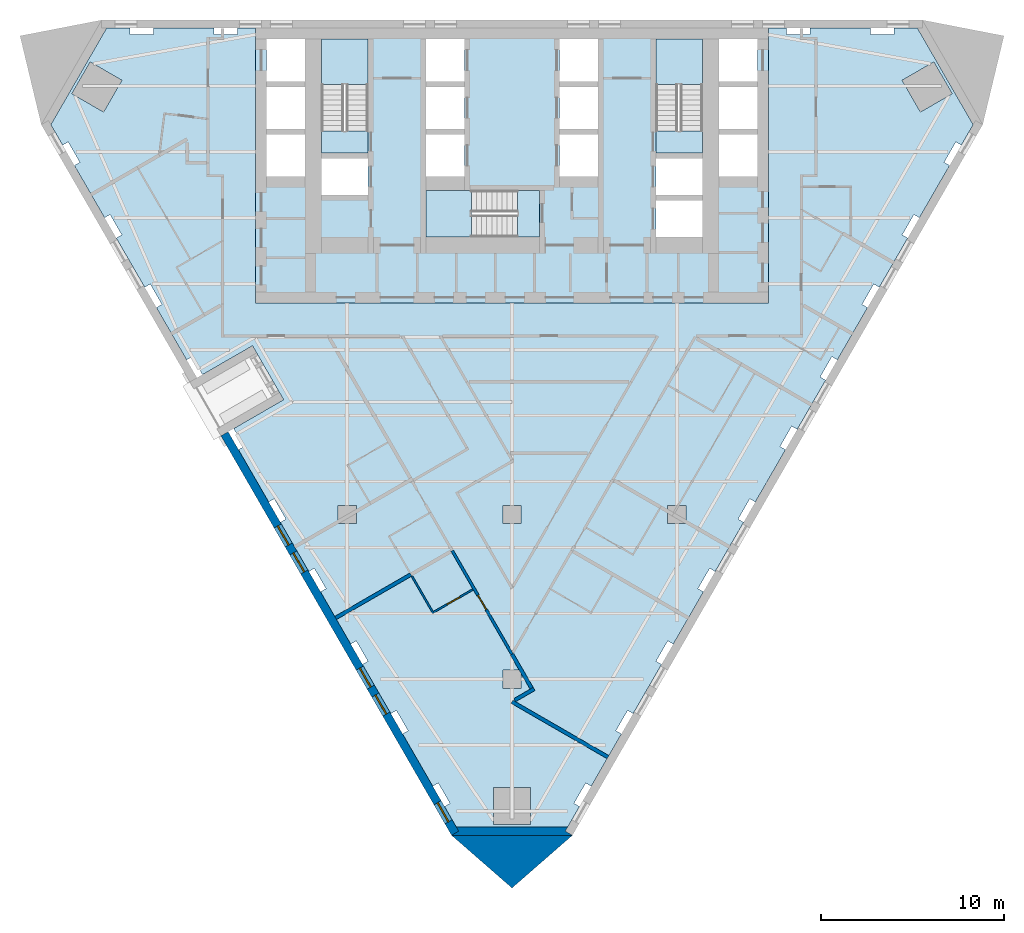
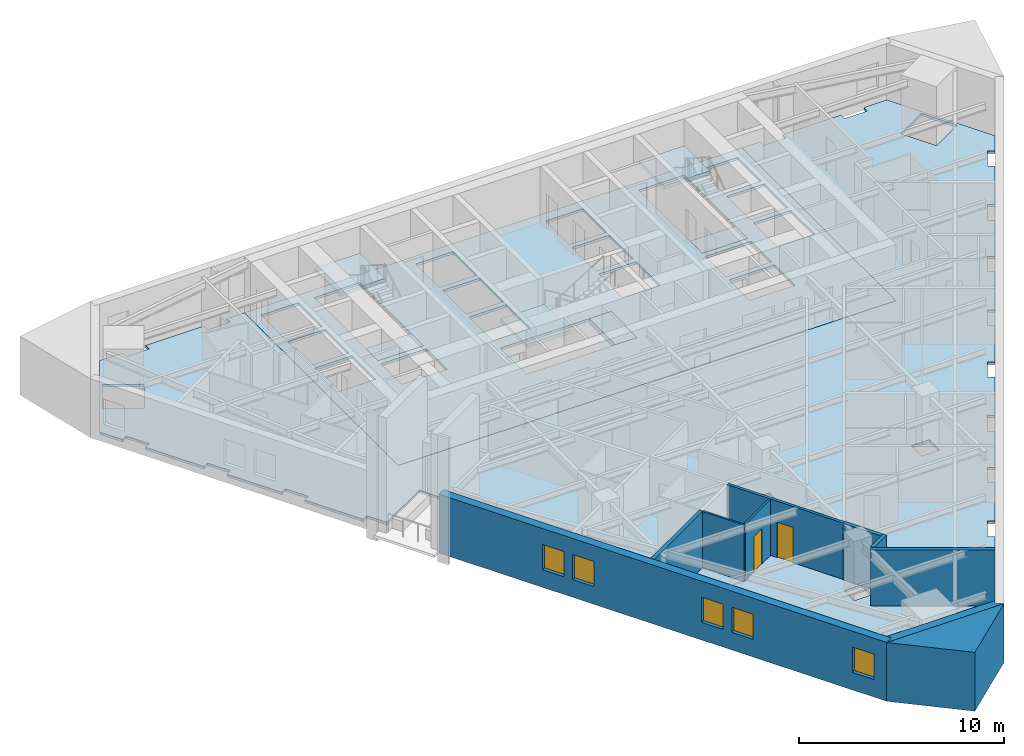
# One storey, part 2 of 9: 10 walls, 8 slabs, 5 windows, 2 doors, 7 openings, 3 elements without a shape of their own.
"""IFC4 building model written with IfcOpenShell, lengths in metres."""

from ifc_helpers import new_model, si_unit, direction, frame, frame_2d, origin, place, context, subcontext, project, spatial, polyline, rectangle, outline, extrude, material, layer, layer_set, type_object, element, fill, aggregate, save


model = new_model("IFC4")

# Units and contexts
model_context = context("Model", 3, precision=1e-05, world=origin(), true_north=direction((0.0, 1.0)))
body_context = subcontext(model_context, "Body", "Model", "MODEL_VIEW")
ifc_project = project(units=[si_unit("LENGTHUNIT", "METRE"), si_unit("AREAUNIT", "SQUARE_METRE"), si_unit("VOLUMEUNIT", "CUBIC_METRE"), si_unit("PLANEANGLEUNIT", "RADIAN"), si_unit("MASSUNIT", "GRAM", prefix="KILO")], contexts=[model_context])

# Site, building, storey
site_placement = place(None, origin())
site = spatial("IfcSite", under=ifc_project, at=site_placement, CompositionType="ELEMENT")
building_placement = place(site_placement, origin())
building = spatial("IfcBuilding", under=site, at=building_placement, Name="Aloe Facet Convention Tower", CompositionType="ELEMENT")
storey_placement = place(building_placement, frame((0.0, 0.0, 52.5)))
storey = spatial("IfcBuildingStorey", under=building, at=storey_placement, Name="L11", CompositionType="ELEMENT", Elevation=52.5)

# Slabs
ifc_material_1 = material(Name="Concrete C80/95", Category="concrete")
ifc_layer_1 = layer(ifc_material_1, 0.14990234375)
ifc_layer_set_1 = layer_set([ifc_layer_1], Name="CR-S-FLOOR150-C8095")
slab_type_1 = type_object("IfcSlabType", Name="CR-S-FLOOR150-C8095", PredefinedType="FLOOR", material=ifc_layer_set_1)
slab_1_placement = place(storey_placement, frame((0.0, 0.0, -0.14990234375)))
element("IfcSlab", 1, at=slab_1_placement, inside=storey, type_object=slab_type_1, Name="Core floor L11", PredefinedType="FLOOR", context=body_context, shape_type="SweptSolid", body=[
    extrude(outline(polyline([(69.300048828125, 134.550048828125), (71.85009765625, 134.550048828125), (72.75, 134.550048828125), (74.699951171875, 134.550048828125), (75.60009765625, 134.550048828125), (77.10009765625, 134.550048828125), (78.0, 134.550048828125), (82.0, 134.550048828125), (82.89990234375, 134.550048828125), (84.39990234375, 134.550048828125), (85.300048828125, 134.550048828125), (87.25, 134.550048828125), (88.14990234375, 134.550048828125), (90.699951171875, 134.550048828125), (91.0, 134.550048828125), (94.0, 134.550048828125), (94.0, 131.949951171875), (94.0, 131.050048828125), (94.0, 129.35009765625), (94.0, 128.449951171875), (94.0, 126.449951171875), (94.0, 125.85009765625), (94.0, 124.9736328125), (94.0, 123.923583984375), (94.0, 122.834228515625), (94.0, 121.7841796875), (94.0, 119.550048828125), (91.300048828125, 119.550048828125), (90.699951171875, 119.550048828125), (89.60009765625, 119.550048828125), (88.550048828125, 119.550048828125), (87.89990234375, 119.550048828125), (86.85009765625, 119.550048828125), (85.699951171875, 119.550048828125), (84.64990234375, 119.550048828125), (83.699951171875, 119.550048828125), (82.64990234375, 119.550048828125), (81.75, 119.550048828125), (80.699951171875, 119.550048828125), (79.61669921875, 119.550048828125), (78.566650390625, 119.550048828125), (77.4833984375, 119.550048828125), (76.433349609375, 119.550048828125), (75.35009765625, 119.550048828125), (74.300048828125, 119.550048828125), (73.14990234375, 119.550048828125), (72.10009765625, 119.550048828125), (69.300048828125, 119.550048828125), (68.699951171875, 119.550048828125), (66.0, 119.550048828125), (66.0, 121.5), (66.0, 122.550048828125), (66.0, 123.639404296875), (66.0, 124.689453125), (66.0, 125.85009765625), (66.0, 126.449951171875), (66.0, 128.449951171875), (66.0, 129.35009765625), (66.0, 131.050048828125), (66.0, 131.949951171875), (66.0, 134.550048828125), (69.0, 134.550048828125), (69.300048828125, 134.550048828125)]), holes=[polyline([(75.300048828125, 123.14990234375), (80.298828125, 123.14990234375), (81.5, 123.14990234375), (81.5, 125.699951171875), (80.298828125, 125.699951171875), (75.300048828125, 125.699951171875), (75.300048828125, 123.14990234375)]), polyline([(69.60009765625, 125.449951171875), (72.14990234375, 125.449951171875), (72.14990234375, 127.449951171875), (69.60009765625, 127.449951171875), (69.60009765625, 125.449951171875)]), polyline([(66.60009765625, 126.449951171875), (68.699951171875, 126.449951171875), (68.699951171875, 128.75), (66.60009765625, 128.75), (66.60009765625, 126.449951171875)]), polyline([(75.300048828125, 126.449951171875), (77.39990234375, 126.449951171875), (77.39990234375, 128.75), (75.300048828125, 128.75), (75.300048828125, 126.449951171875)]), polyline([(66.60009765625, 129.050048828125), (68.699951171875, 129.050048828125), (68.699951171875, 131.35009765625), (66.60009765625, 131.35009765625), (66.60009765625, 129.050048828125)]), polyline([(75.300048828125, 129.050048828125), (77.39990234375, 129.050048828125), (77.39990234375, 131.35009765625), (75.300048828125, 131.35009765625), (75.300048828125, 129.050048828125)]), polyline([(69.60009765625, 133.949951171875), (69.60009765625, 128.951171875), (69.60009765625, 127.75), (72.14990234375, 127.75), (72.14990234375, 128.951171875), (72.14990234375, 133.949951171875), (69.60009765625, 133.949951171875)]), polyline([(66.60009765625, 133.949951171875), (66.60009765625, 131.64990234375), (68.699951171875, 131.64990234375), (68.699951171875, 133.949951171875), (66.60009765625, 133.949951171875)]), polyline([(75.300048828125, 133.949951171875), (75.300048828125, 131.64990234375), (77.39990234375, 131.64990234375), (77.39990234375, 133.949951171875), (75.300048828125, 133.949951171875)]), polyline([(87.85009765625, 123.14990234375), (90.39990234375, 123.14990234375), (90.39990234375, 125.14990234375), (87.85009765625, 125.14990234375), (87.85009765625, 123.14990234375)]), polyline([(87.85009765625, 125.449951171875), (90.39990234375, 125.449951171875), (90.39990234375, 127.449951171875), (87.85009765625, 127.449951171875), (87.85009765625, 125.449951171875)]), polyline([(82.60009765625, 126.449951171875), (84.699951171875, 126.449951171875), (84.699951171875, 128.75), (82.60009765625, 128.75), (82.60009765625, 126.449951171875)]), polyline([(91.300048828125, 126.449951171875), (93.39990234375, 126.449951171875), (93.39990234375, 128.75), (91.300048828125, 128.75), (91.300048828125, 126.449951171875)]), polyline([(82.60009765625, 129.050048828125), (84.699951171875, 129.050048828125), (84.699951171875, 131.35009765625), (82.60009765625, 131.35009765625), (82.60009765625, 129.050048828125)]), polyline([(91.300048828125, 129.050048828125), (93.39990234375, 129.050048828125), (93.39990234375, 131.35009765625), (91.300048828125, 131.35009765625), (91.300048828125, 129.050048828125)]), polyline([(87.85009765625, 133.949951171875), (87.85009765625, 128.951171875), (87.85009765625, 127.75), (90.39990234375, 127.75), (90.39990234375, 128.951171875), (90.39990234375, 133.949951171875), (87.85009765625, 133.949951171875)]), polyline([(82.60009765625, 133.949951171875), (82.60009765625, 131.64990234375), (84.699951171875, 131.64990234375), (84.699951171875, 133.949951171875), (82.60009765625, 133.949951171875)]), polyline([(91.300048828125, 133.949951171875), (91.300048828125, 131.64990234375), (93.39990234375, 131.64990234375), (93.39990234375, 133.949951171875), (91.300048828125, 133.949951171875)])]), origin(), (0.0, 0.0, 1.0), 0.14990234375),
])
ifc_material_2 = material(Name="Concrete C80/95", Category="concrete")
ifc_layer_2 = layer(ifc_material_2, 0.300048828125)
ifc_layer_set_2 = layer_set([ifc_layer_2], Name="CR-S-FLOOR300-C8095")
slab_type_2 = type_object("IfcSlabType", Name="CR-S-FLOOR300-C8095", PredefinedType="FLOOR", material=ifc_layer_set_2)
slab_2_placement = place(storey_placement, frame((0.0, 0.0, -0.300048828125)))
element("IfcSlab", 2, at=slab_2_placement, inside=storey, type_object=slab_type_2, Name="Stair landing floor L11", PredefinedType="FLOOR", context=body_context, shape_type="SweptSolid", body=[
    extrude(outline(polyline([(72.14990234375, 127.75), (72.14990234375, 128.951171875), (69.60009765625, 128.951171875), (69.60009765625, 127.75), (72.14990234375, 127.75)])), origin(), (0.0, 0.0, 1.0), 0.300048828125),
])
slab_3_placement = place(storey_placement, frame((0.0, 0.0, -0.300048828125)))
element("IfcSlab", 3, at=slab_3_placement, inside=storey, type_object=slab_type_2, Name="Stair landing floor L11", PredefinedType="FLOOR", context=body_context, shape_type="SweptSolid", body=[
    extrude(outline(polyline([(90.39990234375, 127.75), (90.39990234375, 128.951171875), (87.85009765625, 128.951171875), (87.85009765625, 127.75), (90.39990234375, 127.75)])), origin(), (0.0, 0.0, 1.0), 0.300048828125),
])
slab_4_placement = place(storey_placement, frame((0.0, 0.0, -0.300048828125)))
element("IfcSlab", 4, at=slab_4_placement, inside=storey, type_object=slab_type_2, Name="Stair landing floor L11", PredefinedType="FLOOR", context=body_context, shape_type="SweptSolid", body=[
    extrude(outline(polyline([(81.5, 125.699951171875), (80.298828125, 125.699951171875), (80.298828125, 123.14990234375), (81.5, 123.14990234375), (81.5, 125.699951171875)])), origin(), (0.0, 0.0, 1.0), 0.300048828125),
])

# Stair, slab
ifc_material_3 = material(Name="Concrete C50/60", Category="concrete")
stair_type = type_object("IfcStairType", Name="CR-ST-20R", PredefinedType="HALF_TURN_STAIR", material=ifc_material_3)
stair_1_placement = place(storey_placement, origin())
stair_1 = element("IfcStair", 5, at=stair_1_placement, inside=storey, type_object=stair_type, Name="L11 Protected exit stair ST1", PredefinedType="HALF_TURN_STAIR")
ifc_material_4 = material(Name="Concrete C50/60", Category="concrete")
ifc_layer_3 = layer(ifc_material_4, 0.199951171875)
ifc_layer_set_3 = layer_set([ifc_layer_3], Name="CR-SL-LANDING")
slab_type_3 = type_object("IfcSlabType", Name="CR-SL-LANDING", PredefinedType="LANDING", material=ifc_layer_set_3)
slab_5_placement = place(storey_placement, frame((0.0, 0.0, 1.550048828125)))
slab_5 = element("IfcSlab", 6, at=slab_5_placement, type_object=slab_type_3, Name="ST1 landing 1", PredefinedType="LANDING", context=body_context, shape_type="SweptSolid", body=[
    extrude(outline(polyline([(72.14990234375, 131.469970703125), (72.14990234375, 133.949951171875), (69.60009765625, 133.949951171875), (69.60009765625, 131.469970703125), (72.14990234375, 131.469970703125)])), origin(), (0.0, 0.0, 1.0), 0.199951171875),
])
aggregate(stair_1, [slab_5])

stair_2_placement = place(storey_placement, origin())
stair_2 = element("IfcStair", 7, at=stair_2_placement, inside=storey, type_object=stair_type, Name="L11 Protected exit stair ST2", PredefinedType="HALF_TURN_STAIR")
slab_6_placement = place(storey_placement, frame((0.0, 0.0, 1.550048828125)))
slab_6 = element("IfcSlab", 8, at=slab_6_placement, type_object=slab_type_3, Name="ST2 landing 1", PredefinedType="LANDING", context=body_context, shape_type="SweptSolid", body=[
    extrude(outline(polyline([(90.39990234375, 131.469970703125), (90.39990234375, 133.949951171875), (87.85009765625, 133.949951171875), (87.85009765625, 131.469970703125), (90.39990234375, 131.469970703125)])), origin(), (0.0, 0.0, 1.0), 0.199951171875),
])
aggregate(stair_2, [slab_6])

stair_3_placement = place(storey_placement, origin())
stair_3 = element("IfcStair", 9, at=stair_3_placement, inside=storey, type_object=stair_type, Name="L11 Protected exit stair ST3", PredefinedType="HALF_TURN_STAIR")
slab_7_placement = place(storey_placement, frame((0.0, 0.0, 1.550048828125)))
slab_7 = element("IfcSlab", 10, at=slab_7_placement, type_object=slab_type_3, Name="ST3 landing 1", PredefinedType="LANDING", context=body_context, shape_type="SweptSolid", body=[
    extrude(outline(polyline([(77.780029296875, 125.699951171875), (75.300048828125, 125.699951171875), (75.300048828125, 123.14990234375), (77.780029296875, 123.14990234375), (77.780029296875, 125.699951171875)])), origin(), (0.0, 0.0, 1.0), 0.199951171875),
])
aggregate(stair_3, [slab_7])

# Slab
ifc_material_5 = material(Name="Concrete C35/45", Category="concrete")
ifc_layer_4 = layer(ifc_material_5, 0.14990234375)
ifc_layer_set_4 = layer_set([ifc_layer_4], Name="SF-FS-150")
slab_type_4 = type_object("IfcSlabType", Name="SF-FS-150", PredefinedType="FLOOR", material=ifc_layer_set_4)
slab_8_placement = place(storey_placement, frame((0.0, 0.0, -0.14990234375)))
element("IfcSlab", 11, at=slab_8_placement, inside=storey, type_object=slab_type_4, Name="Floor slab L11-1", PredefinedType="FLOOR", context=body_context, shape_type="SweptSolid", body=[
    extrude(outline(polyline([(60.58642578125, 119.295654296875), (60.8896484375, 119.470703125), (60.248046875, 120.58203125), (59.94482421875, 120.406982421875), (58.39453125, 123.09228515625), (58.697509765625, 123.267333984375), (58.055908203125, 124.378662109375), (57.7529296875, 124.20361328125), (56.1064453125, 127.05517578125), (56.40966796875, 127.230224609375), (55.76806640625, 128.341552734375), (55.46484375, 128.16650390625), (54.819580078125, 129.2841796875), (57.85986328125, 134.550048828125), (59.150390625, 134.550048828125), (59.150390625, 134.199951171875), (60.43359375, 134.199951171875), (60.43359375, 134.550048828125), (63.726318359375, 134.550048828125), (63.726318359375, 134.199951171875), (65.009521484375, 134.199951171875), (65.009521484375, 134.550048828125), (66.0, 134.550048828125), (66.0, 131.949951171875), (66.0, 131.050048828125), (66.0, 129.35009765625), (66.0, 128.449951171875), (66.0, 126.449951171875), (66.0, 125.85009765625), (66.0, 124.689453125), (66.0, 123.639404296875), (66.0, 122.550048828125), (66.0, 121.5), (66.0, 119.550048828125), (68.699951171875, 119.550048828125), (69.300048828125, 119.550048828125), (72.10009765625, 119.550048828125), (73.14990234375, 119.550048828125), (74.300048828125, 119.550048828125), (75.35009765625, 119.550048828125), (76.433349609375, 119.550048828125), (77.4833984375, 119.550048828125), (78.566650390625, 119.550048828125), (79.61669921875, 119.550048828125), (80.699951171875, 119.550048828125), (81.75, 119.550048828125), (82.64990234375, 119.550048828125), (83.699951171875, 119.550048828125), (84.64990234375, 119.550048828125), (85.699951171875, 119.550048828125), (86.85009765625, 119.550048828125), (87.89990234375, 119.550048828125), (88.550048828125, 119.550048828125), (89.60009765625, 119.550048828125), (90.699951171875, 119.550048828125), (91.300048828125, 119.550048828125), (94.0, 119.550048828125), (94.0, 121.7841796875), (94.0, 122.834228515625), (94.0, 123.923583984375), (94.0, 124.9736328125), (94.0, 125.85009765625), (94.0, 126.449951171875), (94.0, 128.449951171875), (94.0, 129.35009765625), (94.0, 131.050048828125), (94.0, 131.949951171875), (94.0, 134.550048828125), (94.990478515625, 134.550048828125), (94.990478515625, 134.199951171875), (96.273681640625, 134.199951171875), (96.273681640625, 134.550048828125), (99.56640625, 134.550048828125), (99.56640625, 134.199951171875), (100.849609375, 134.199951171875), (100.849609375, 134.550048828125), (102.14013671875, 134.550048828125), (105.180419921875, 129.2841796875), (104.53515625, 128.16650390625), (104.23193359375, 128.341552734375), (103.59033203125, 127.230224609375), (103.8935546875, 127.05517578125), (102.2470703125, 124.20361328125), (101.944091796875, 124.378662109375), (101.302490234375, 123.267333984375), (101.60546875, 123.09228515625), (100.05517578125, 120.406982421875), (99.751953125, 120.58203125), (99.1103515625, 119.470703125), (99.41357421875, 119.295654296875), (97.76708984375, 116.444091796875), (97.464111328125, 116.619140625), (96.822509765625, 115.5078125), (97.12548828125, 115.332763671875), (95.5751953125, 112.6474609375), (95.27197265625, 112.822509765625), (94.63037109375, 111.711181640625), (94.93359375, 111.5361328125), (93.287109375, 108.6845703125), (92.98388671875, 108.859619140625), (92.34228515625, 107.748046875), (92.6455078125, 107.572998046875), (91.09521484375, 104.8876953125), (90.7919921875, 105.062744140625), (90.150390625, 103.951416015625), (90.45361328125, 103.776611328125), (88.80712890625, 100.9248046875), (88.50390625, 101.099853515625), (87.8623046875, 99.988525390625), (88.16552734375, 99.8134765625), (86.614990234375, 97.128173828125), (86.31201171875, 97.30322265625), (85.67041015625, 96.19189453125), (85.973388671875, 96.016845703125), (84.3271484375, 93.165283203125), (84.02392578125, 93.34033203125), (83.38232421875, 92.22900390625), (83.685546875, 92.053955078125), (83.040283203125, 90.936279296875), (76.959716796875, 90.936279296875), (76.314453125, 92.053955078125), (76.61767578125, 92.22900390625), (75.97607421875, 93.34033203125), (75.6728515625, 93.165283203125), (74.026611328125, 96.016845703125), (74.32958984375, 96.19189453125), (73.68798828125, 97.30322265625), (73.385009765625, 97.128173828125), (71.83447265625, 99.8134765625), (72.1376953125, 99.988525390625), (71.49609375, 101.099853515625), (71.19287109375, 100.9248046875), (69.54638671875, 103.776611328125), (69.849609375, 103.951416015625), (69.2080078125, 105.062744140625), (68.90478515625, 104.8876953125), (67.3544921875, 107.572998046875), (67.65771484375, 107.748046875), (67.01611328125, 108.859619140625), (66.712890625, 108.6845703125), (65.06640625, 111.5361328125), (65.36962890625, 111.711181640625), (64.802734375, 112.69287109375), (67.53076171875, 114.267822265625), (65.830810546875, 117.21240234375), (63.102783203125, 115.63720703125), (62.535888671875, 116.619140625), (62.23291015625, 116.444091796875), (60.58642578125, 119.295654296875)]), holes=[polyline([(80.5, 98.5), (80.5, 99.5), (79.5, 99.5), (79.5, 98.5), (80.5, 98.5)]), polyline([(80.5, 107.5), (80.5, 108.5), (79.5, 108.5), (79.5, 107.5), (80.5, 107.5)]), polyline([(71.5, 107.5), (71.5, 108.5), (70.5, 108.5), (70.5, 107.5), (71.5, 107.5)]), polyline([(58.70166015625, 131.7080078125), (56.969482421875, 132.7080078125), (55.969482421875, 130.97607421875), (57.70166015625, 129.97607421875), (58.70166015625, 131.7080078125)]), polyline([(79.0, 91.086181640625), (81.0, 91.086181640625), (81.0, 93.086181640625), (79.0, 93.086181640625), (79.0, 91.086181640625)]), polyline([(89.5, 107.5), (89.5, 108.5), (88.5, 108.5), (88.5, 107.5), (89.5, 107.5)]), polyline([(102.29833984375, 129.97607421875), (104.030517578125, 130.97607421875), (103.030517578125, 132.7080078125), (101.29833984375, 131.7080078125), (102.29833984375, 129.97607421875)])]), origin(), (0.0, 0.0, 1.0), 0.14990234375),
])

# Walls
ifc_material_6 = material(Name="Precast concrete C40/50", Category="concrete")
ifc_layer_5 = layer(ifc_material_6, 0.449951171875)
ifc_layer_set_5 = layer_set([ifc_layer_5], Name="EV-WALL-PIER")
wall_type_1 = type_object("IfcWallType", Name="EV-WALL-PIER", PredefinedType="SOLIDWALL", material=ifc_layer_set_5)
wall_1_placement = place(storey_placement, frame((0.0, 0.0, -0.14990234375)))
element("IfcWall", 12, at=wall_1_placement, inside=storey, type_object=wall_type_1, Name="EP-L11-B", PredefinedType="SOLIDWALL", context=body_context, shape_type="SweptSolid", body=[
    extrude(outline(polyline([(76.699951171875, 90.486328125), (77.089599609375, 90.711181640625), (76.959716796875, 90.936279296875), (83.040283203125, 90.936279296875), (82.910400390625, 90.711181640625), (83.300048828125, 90.486328125), (76.699951171875, 90.486328125)])), origin(), (0.0, 0.0, 1.0), 3.5),
])
ifc_material_7 = material(Name="Precast concrete C40/50", Category="concrete")
ifc_layer_6 = layer(ifc_material_7, 3.947998046875)
ifc_layer_set_6 = layer_set([ifc_layer_6], Name="EV-WALL-SPINE")
wall_type_2 = type_object("IfcWallType", Name="EV-WALL-SPINE", PredefinedType="SOLIDWALL", material=ifc_layer_set_6)
wall_2_placement = place(storey_placement, frame((0.0, 0.0, -0.14990234375)))
element("IfcWall", 13, at=wall_2_placement, inside=storey, type_object=wall_type_2, Name="SP-S-L11", PredefinedType="SOLIDWALL", context=body_context, shape_type="SweptSolid", body=[
    extrude(outline(polyline([(76.699951171875, 90.486328125), (80.0, 87.607421875), (83.300048828125, 90.486328125), (76.699951171875, 90.486328125)])), origin(), (0.0, 0.0, 1.0), 3.5),
])

# Wall, openings, windows
ifc_material_8 = material(Name="Precast concrete C40/50", Category="concrete")
ifc_layer_7 = layer(ifc_material_8, 0.449951171875)
ifc_layer_set_7 = layer_set([ifc_layer_7], Name="EV-WALL-STONE")
wall_type_3 = type_object("IfcWallType", Name="EV-WALL-STONE", PredefinedType="SOLIDWALL", material=ifc_layer_set_7)
wall_3_placement = place(storey_placement, frame((64.304931640625, 112.4052734375, -0.14990234375), z_axis=(0.0, 0.0, 1.0), x_axis=(0.499997464327, -0.866026867751, 0.0)))
wall_3 = element("IfcWall", 14, at=wall_3_placement, inside=storey, type_object=wall_type_3, Name="EW-L11-W02", PredefinedType="SOLIDWALL", context=body_context, shape_type="SweptSolid", body=[
    extrude(outline(polyline([(25.179931640625, 3.5), (25.179931640625, 0.0), (0.0, 0.0), (0.0, 3.5), (25.179931640625, 3.5)])), frame((0.0, 0.22509765625, 0.0), z_axis=(0.0, -1.0, 0.0), x_axis=(1.0, 0.0, 0.0)), (0.0, 0.0, 1.0), 0.449951171875),
])
opening_1_placement = place(wall_3_placement, frame((5.81005859375, 0.0, 1.050048828125)))
opening_1 = element("IfcOpeningElement", 15, at=opening_1_placement, cuts=wall_3, Name="Opening W-L11-W04", PredefinedType="OPENING", context=body_context, shape_type="SweptSolid", body=[
    extrude(rectangle(XDim=1.199951171875, YDim=1.5, at=frame_2d((0.60009765625, 0.75))), frame((0.0, 0.23486328125, 0.0), z_axis=(0.0, -1.0, 0.0), x_axis=(1.0, 0.0, 0.0)), (0.0, 0.0, 1.0), 0.469970703125),
])
opening_2_placement = place(wall_3_placement, frame((7.510009765625, 0.0, 1.050048828125)))
opening_2 = element("IfcOpeningElement", 16, at=opening_2_placement, cuts=wall_3, Name="Opening W-L11-W05", PredefinedType="OPENING", context=body_context, shape_type="SweptSolid", body=[
    extrude(rectangle(XDim=1.199951171875, YDim=1.5, at=frame_2d((0.60009765625, 0.75))), frame((0.0, 0.23486328125, 0.0), z_axis=(0.0, -1.0, 0.0), x_axis=(1.0, 0.0, 0.0)), (0.0, 0.0, 1.0), 0.469970703125),
])
opening_3_placement = place(wall_3_placement, frame((14.77001953125, 0.0, 1.050048828125)))
opening_3 = element("IfcOpeningElement", 17, at=opening_3_placement, cuts=wall_3, Name="Opening W-L11-W06", PredefinedType="OPENING", context=body_context, shape_type="SweptSolid", body=[
    extrude(rectangle(XDim=1.199951171875, YDim=1.5, at=frame_2d((0.60009765625, 0.75))), frame((0.0, 0.23486328125, 0.0), z_axis=(0.0, -1.0, 0.0), x_axis=(1.0, 0.0, 0.0)), (0.0, 0.0, 1.0), 0.469970703125),
])
opening_4_placement = place(wall_3_placement, frame((16.469970703125, 0.0, 1.050048828125)))
opening_4 = element("IfcOpeningElement", 18, at=opening_4_placement, cuts=wall_3, Name="Opening W-L11-W07", PredefinedType="OPENING", context=body_context, shape_type="SweptSolid", body=[
    extrude(rectangle(XDim=1.199951171875, YDim=1.5, at=frame_2d((0.60009765625, 0.75))), frame((0.0, 0.23486328125, 0.0), z_axis=(0.0, -1.0, 0.0), x_axis=(1.0, 0.0, 0.0)), (0.0, 0.0, 1.0), 0.469970703125),
])
opening_5_placement = place(wall_3_placement, frame((23.2578125, 0.0, 1.050048828125)))
opening_5 = element("IfcOpeningElement", 19, at=opening_5_placement, cuts=wall_3, Name="Opening W-L11-W08", PredefinedType="OPENING", context=body_context, shape_type="SweptSolid", body=[
    extrude(rectangle(XDim=1.199951171875, YDim=1.5, at=frame_2d((0.60009765625, 0.75))), frame((0.0, 0.23486328125, 0.0), z_axis=(0.0, -1.0, 0.0), x_axis=(1.0, 0.0, 0.0)), (0.0, 0.0, 1.0), 0.469970703125),
])
ifc_material_9 = material(Name="Aluminium frame, clear double glazing", Category="aluminium")
window_type = type_object("IfcWindowType", Name="EV-WIN-H12", PartitioningType="SINGLE_PANEL", PredefinedType="WINDOW", material=ifc_material_9)
window_1_placement = place(opening_1_placement, origin())
window_1 = element("IfcWindow", 20, at=window_1_placement, inside=storey, type_object=window_type, Name="W-L11-W04", OverallHeight=1.5, OverallWidth=1.199951171875, PartitioningType="SINGLE_PANEL", PredefinedType="WINDOW", context=body_context, shape_type="SweptSolid", body=[
    extrude(rectangle(XDim=1.199951171875, YDim=1.5, at=frame_2d((0.60009765625, 0.75))), frame((0.0, 0.030029296875, 0.0), z_axis=(0.0, -1.0, 0.0), x_axis=(1.0, 0.0, 0.0)), (0.0, 0.0, 1.0), 0.06005859375),
])
fill(opening_1, window_1)
window_2_placement = place(opening_2_placement, origin())
window_2 = element("IfcWindow", 21, at=window_2_placement, inside=storey, type_object=window_type, Name="W-L11-W05", OverallHeight=1.5, OverallWidth=1.199951171875, PartitioningType="SINGLE_PANEL", PredefinedType="WINDOW", context=body_context, shape_type="SweptSolid", body=[
    extrude(rectangle(XDim=1.199951171875, YDim=1.5, at=frame_2d((0.60009765625, 0.75))), frame((0.0, 0.030029296875, 0.0), z_axis=(0.0, -1.0, 0.0), x_axis=(1.0, 0.0, 0.0)), (0.0, 0.0, 1.0), 0.06005859375),
])
fill(opening_2, window_2)
window_3_placement = place(opening_3_placement, origin())
window_3 = element("IfcWindow", 22, at=window_3_placement, inside=storey, type_object=window_type, Name="W-L11-W06", OverallHeight=1.5, OverallWidth=1.199951171875, PartitioningType="SINGLE_PANEL", PredefinedType="WINDOW", context=body_context, shape_type="SweptSolid", body=[
    extrude(rectangle(XDim=1.199951171875, YDim=1.5, at=frame_2d((0.60009765625, 0.75))), frame((0.0, 0.030029296875, 0.0), z_axis=(0.0, -1.0, 0.0), x_axis=(1.0, 0.0, 0.0)), (0.0, 0.0, 1.0), 0.06005859375),
])
fill(opening_3, window_3)
window_4_placement = place(opening_4_placement, origin())
window_4 = element("IfcWindow", 23, at=window_4_placement, inside=storey, type_object=window_type, Name="W-L11-W07", OverallHeight=1.5, OverallWidth=1.199951171875, PartitioningType="SINGLE_PANEL", PredefinedType="WINDOW", context=body_context, shape_type="SweptSolid", body=[
    extrude(rectangle(XDim=1.199951171875, YDim=1.5, at=frame_2d((0.60009765625, 0.75))), frame((0.0, 0.030029296875, 0.0), z_axis=(0.0, -1.0, 0.0), x_axis=(1.0, 0.0, 0.0)), (0.0, 0.0, 1.0), 0.06005859375),
])
fill(opening_4, window_4)
window_5_placement = place(opening_5_placement, origin())
window_5 = element("IfcWindow", 24, at=window_5_placement, inside=storey, type_object=window_type, Name="W-L11-W08", OverallHeight=1.5, OverallWidth=1.199951171875, PartitioningType="SINGLE_PANEL", PredefinedType="WINDOW", context=body_context, shape_type="SweptSolid", body=[
    extrude(rectangle(XDim=1.199951171875, YDim=1.5, at=frame_2d((0.60009765625, 0.75))), frame((0.0, 0.030029296875, 0.0), z_axis=(0.0, -1.0, 0.0), x_axis=(1.0, 0.0, 0.0)), (0.0, 0.0, 1.0), 0.06005859375),
])
fill(opening_5, window_5)

# Wall, opening, door
ifc_material_10 = material(Name="Gypsum board partition on steel studs", Category="steel")
ifc_layer_8 = layer(ifc_material_10, 0.14990234375)
ifc_layer_set_8 = layer_set([ifc_layer_8], Name="IN-W-CORR")
wall_type_4 = type_object("IfcWallType", Name="IN-W-CORR", PredefinedType="PARTITIONING", material=ifc_layer_set_8)
wall_4_placement = place(storey_placement, frame((76.735107421875, 106.025634765625, 0.0), z_axis=(0.0, 0.0, 1.0), x_axis=(0.499995393218, -0.866028063495, 0.0)))
wall_4 = element("IfcWall", 25, at=wall_4_placement, inside=storey, type_object=wall_type_4, Name="Partition L11-W004", PredefinedType="PARTITIONING", context=body_context, shape_type="SweptSolid", body=[
    extrude(rectangle(XDim=6.52978515625, YDim=0.14990234375, at=frame_2d((3.264892578125, 0.0))), origin(), (0.0, 0.0, 1.0), 3.35009765625),
])
opening_6_placement = place(wall_4_placement, frame((2.81494140625, 0.0, 0.0)))
opening_6 = element("IfcOpeningElement", 26, at=opening_6_placement, cuts=wall_4, Name="Opening L11-005", PredefinedType="OPENING", context=body_context, shape_type="SweptSolid", body=[
    extrude(rectangle(XDim=0.89990234375, YDim=2.10009765625, at=frame_2d((0.449951171875, 1.050048828125))), frame((0.0, 0.0849609375, 0.0), z_axis=(0.0, -1.0, 0.0), x_axis=(1.0, 0.0, 0.0)), (0.0, 0.0, 1.0), 0.169921875),
])
ifc_material_11 = material(Name="Hardwood flush door FD30S", Category="wood")
door_type_1 = type_object("IfcDoorType", Name="IN-D-GUEST", OperationType="SINGLE_SWING_LEFT", PredefinedType="DOOR", material=ifc_material_11)
door_1_placement = place(opening_6_placement, origin())
door_1 = element("IfcDoor", 27, at=door_1_placement, inside=storey, type_object=door_type_1, Name="Door L11-005", OperationType="SINGLE_SWING_LEFT", OverallHeight=2.10009765625, OverallWidth=0.89990234375, PredefinedType="DOOR", context=body_context, shape_type="SweptSolid", body=[
    extrude(rectangle(XDim=0.89990234375, YDim=2.10009765625, at=frame_2d((0.449951171875, 1.050048828125))), frame((0.0, 0.02490234375, 0.0), z_axis=(0.0, -1.0, 0.0), x_axis=(1.0, 0.0, 0.0)), (0.0, 0.0, 1.0), 0.050048828125),
])
fill(opening_6, door_1)

# Wall
ifc_material_12 = material(Name="Gypsum board partition on steel studs", Category="steel")
ifc_layer_9 = layer(ifc_material_12, 0.10009765625)
ifc_layer_set_9 = layer_set([ifc_layer_9], Name="IN-W-PART")
wall_type_5 = type_object("IfcWallType", Name="IN-W-PART", PredefinedType="PARTITIONING", material=ifc_layer_set_9)
wall_5_placement = place(storey_placement, frame((74.538330078125, 104.63037109375, 0.0), z_axis=(0.0, 0.0, 1.0), x_axis=(0.499999433879, -0.866025730634, 0.0)))
element("IfcWall", 28, at=wall_5_placement, inside=storey, type_object=wall_type_5, Name="Partition L11-W007", PredefinedType="PARTITIONING", context=body_context, shape_type="SweptSolid", body=[
    extrude(rectangle(XDim=2.33984375, YDim=0.10009765625, at=frame_2d((1.169921875, 0.0))), origin(), (0.0, 0.0, 1.0), 3.35009765625),
])

# Wall, opening, door
wall_6_placement = place(storey_placement, frame((75.7353515625, 102.67724609375, 0.0), z_axis=(0.0, 0.0, 1.0), x_axis=(0.866040446274, 0.499973944738, 0.0)))
wall_6 = element("IfcWall", 29, at=wall_6_placement, inside=storey, type_object=wall_type_5, Name="Partition L11-W009", PredefinedType="PARTITIONING", context=body_context, shape_type="SweptSolid", body=[
    extrude(rectangle(XDim=2.465087890625, YDim=0.10009765625, at=frame_2d((1.232421875, 0.0))), origin(), (0.0, 0.0, 1.0), 3.35009765625),
])
opening_7_placement = place(wall_6_placement, frame((0.83251953125, 0.0, 0.0)))
opening_7 = element("IfcOpeningElement", 30, at=opening_7_placement, cuts=wall_6, Name="Opening L11-022", PredefinedType="OPENING", context=body_context, shape_type="SweptSolid", body=[
    extrude(rectangle(XDim=0.800048828125, YDim=2.10009765625, at=frame_2d((0.39990234375, 1.050048828125))), frame((0.0, 0.06005859375, 0.0), z_axis=(0.0, -1.0, 0.0), x_axis=(1.0, 0.0, 0.0)), (0.0, 0.0, 1.0), 0.1201171875),
])
ifc_material_13 = material(Name="Timber flush door", Category="wood")
door_type_2 = type_object("IfcDoorType", Name="IN-D-BATH", OperationType="SINGLE_SWING_LEFT", PredefinedType="DOOR", material=ifc_material_13)
door_2_placement = place(opening_7_placement, origin())
door_2 = element("IfcDoor", 31, at=door_2_placement, inside=storey, type_object=door_type_2, Name="Door L11-022", OperationType="SINGLE_SWING_LEFT", OverallHeight=2.10009765625, OverallWidth=0.800048828125, PredefinedType="DOOR", context=body_context, shape_type="SweptSolid", body=[
    extrude(rectangle(XDim=0.800048828125, YDim=2.10009765625, at=frame_2d((0.39990234375, 1.050048828125))), frame((0.0, 0.02490234375, 0.0), z_axis=(0.0, -1.0, 0.0), x_axis=(1.0, 0.0, 0.0)), (0.0, 0.0, 1.0), 0.050048828125),
])
fill(opening_7, door_2)

# Walls
ifc_material_14 = material(Name="Gypsum board partition on steel studs", Category="steel")
ifc_layer_10 = layer(ifc_material_14, 0.199951171875)
ifc_layer_set_10 = layer_set([ifc_layer_10], Name="IN-W-PARTY")
wall_type_6 = type_object("IfcWallType", Name="IN-W-PARTY", PredefinedType="PARTITIONING", material=ifc_layer_set_10)
wall_7_placement = place(storey_placement, frame((80.0, 97.779296875, 0.0), z_axis=(0.0, 0.0, 1.0), x_axis=(0.866028448709, -0.499994725999, 0.0)))
element("IfcWall", 32, at=wall_7_placement, inside=storey, type_object=wall_type_6, Name="Partition L11-W001", PredefinedType="PARTITIONING", context=body_context, shape_type="SweptSolid", body=[
    extrude(rectangle(XDim=6.05419921875, YDim=0.199951171875, at=frame_2d((3.027099609375, 0.0))), origin(), (0.0, 0.0, 1.0), 3.35009765625),
])
wall_8_placement = place(storey_placement, frame((80.14990234375, 97.865966796875, 0.0), z_axis=(0.0, 0.0, 1.0), x_axis=(0.866095765711, 0.49987810976, 0.0)))
element("IfcWall", 33, at=wall_8_placement, inside=storey, type_object=wall_type_6, Name="Partition L11-W002", PredefinedType="PARTITIONING", context=body_context, shape_type="SweptSolid", body=[
    extrude(rectangle(XDim=1.221923828125, YDim=0.199951171875, at=frame_2d((0.61083984375, 0.0))), origin(), (0.0, 0.0, 1.0), 3.35009765625),
])
wall_9_placement = place(storey_placement, frame((80.0, 100.37060546875, 0.0), z_axis=(0.0, 0.0, 1.0), x_axis=(0.499818186721, -0.866130348287, 0.0)))
element("IfcWall", 34, at=wall_9_placement, inside=storey, type_object=wall_type_6, Name="Partition L11-W003", PredefinedType="PARTITIONING", context=body_context, shape_type="SweptSolid", body=[
    extrude(rectangle(XDim=2.134033203125, YDim=0.199951171875, at=frame_2d((1.06689453125, 0.0))), origin(), (0.0, 0.0, 1.0), 3.35009765625),
])
wall_10_placement = place(storey_placement, frame((70.36962890625, 102.3505859375, 0.0), z_axis=(0.0, 0.0, 1.0), x_axis=(0.866033238375, 0.499986429846, 0.0)))
element("IfcWall", 35, at=wall_10_placement, inside=storey, type_object=wall_type_6, Name="Partition L11-W005", PredefinedType="PARTITIONING", context=body_context, shape_type="SweptSolid", body=[
    extrude(rectangle(XDim=4.750244140625, YDim=0.199951171875, at=frame_2d((2.375, 0.0))), origin(), (0.0, 0.0, 1.0), 3.35009765625),
])

save(model, "model.ifc")
